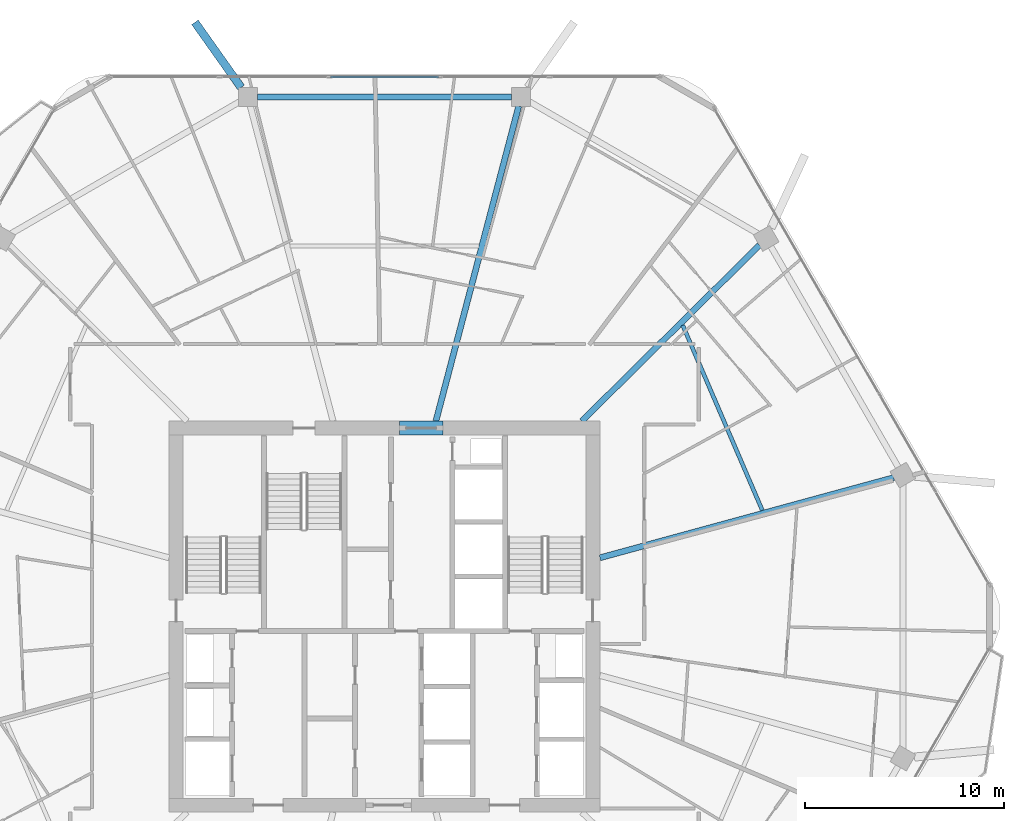
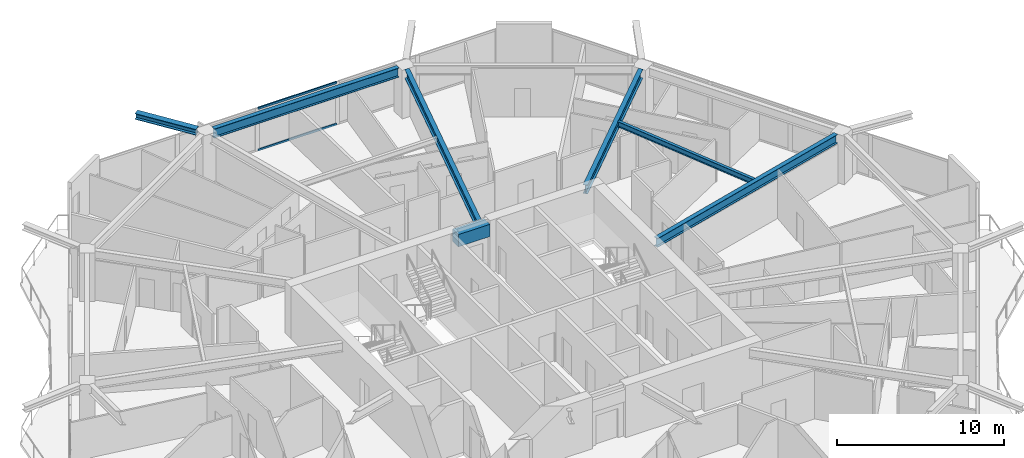
# One storey, part 14 of 27: 7 beams, 2 members, 1 element without a shape of its own.
"""IFC4 building model written with IfcOpenShell, lengths in metres."""

from ifc_helpers import new_model, si_unit, direction, frame, origin, origin_2d, place, context, subcontext, project, spatial, rectangle, hollow_rectangle, i_section, extrude, material, material_profile, profile_set, type_object, element, aggregate, save


model = new_model("IFC4")

# Units and contexts
model_context = context("Model", 3, precision=1e-05, world=origin(), true_north=direction((0.0, 1.0)))
body_context = subcontext(model_context, "Body", "Model", "MODEL_VIEW")
ifc_project = project(units=[si_unit("LENGTHUNIT", "METRE"), si_unit("AREAUNIT", "SQUARE_METRE"), si_unit("VOLUMEUNIT", "CUBIC_METRE"), si_unit("PLANEANGLEUNIT", "RADIAN"), si_unit("MASSUNIT", "GRAM", prefix="KILO")], contexts=[model_context])

# Site, building, storey
site_placement = place(None, origin())
site = spatial("IfcSite", under=ifc_project, at=site_placement, CompositionType="ELEMENT")
building_placement = place(site_placement, origin())
building = spatial("IfcBuilding", under=site, at=building_placement, Name="Zuhravey Tower", CompositionType="ELEMENT")
storey_placement = place(building_placement, frame((0.0, 0.0, 188.39990234375)))
storey = spatial("IfcBuildingStorey", under=building, at=storey_placement, Name="L47", CompositionType="ELEMENT", Elevation=188.39990234375)

# Beam
ifc_material_1 = material(Name="Concrete C60/75", Category="concrete")
ifc_material_profile_1 = material_profile(ifc_material_1, rectangle(XDim=0.699951171875, YDim=0.89990234375, at=origin_2d()), Name="RC-700x900")
ifc_profile_set_1 = profile_set([ifc_material_profile_1], Name="Concrete C60/75")
beam_type_1 = type_object("IfcBeamType", Name="Core Coupling Beam RC700x900", PredefinedType="LINTEL", material=ifc_profile_set_1)
beam_1_placement = place(storey_placement, frame((36.751953125, 41.5, 3.10009765625), z_axis=(1.0, 0.0, 0.0), x_axis=(0.0, 1.0, 0.0)))
element("IfcBeam", 1, at=beam_1_placement, inside=storey, type_object=beam_type_1, Name="L47 CB1 BM-L47-CB-N", PredefinedType="LINTEL", context=body_context, shape_type="SweptSolid", body=[
    extrude(rectangle(XDim=0.699951171875, YDim=0.89990234375, at=origin_2d()), origin(), (0.0, 0.0, 1.0), 2.196044921875),
])

# Curtain wall, members
ifc_material_2 = material(Name="Thermally broken anodised aluminium", Category="aluminium")
curtain_wall_type = type_object("IfcCurtainWallType", Name="Zone 1-2 Residential Curtain Wall CW3", PredefinedType="NOTDEFINED", material=ifc_material_2)
curtain_wall_placement = place(storey_placement, origin())
curtain_wall = element("IfcCurtainWall", 2, at=curtain_wall_placement, inside=storey, type_object=curtain_wall_type, Name="L47 CW3 CW-L47-F2-1", PredefinedType="NOTDEFINED")
ifc_material_3 = material(Name="Anodised aluminium", Category="aluminium")
ifc_material_profile_2 = material_profile(ifc_material_3, hollow_rectangle(XDim=0.090087890625, YDim=0.14990234375, WallThickness=0.0048828125, at=origin_2d()), Name="ALU-RHS-90x150x5")
ifc_profile_set_2 = profile_set([ifc_material_profile_2], Name="Anodised aluminium")
member_type = type_object("IfcMemberType", Name="Curtain-Wall Transom 90x150", PredefinedType="USERDEFINED", material=ifc_profile_set_2)
member_1_placement = place(storey_placement, frame((33.272705078125, 59.18310546875, 0.045166015625), z_axis=(1.0, 0.0, 0.0), x_axis=(0.0, 1.0, 0.0)))
member_1 = element("IfcMember", 3, at=member_1_placement, type_object=member_type, Name="CW3 transom 3.1", ObjectType="TRANSOM", PredefinedType="USERDEFINED", context=body_context, shape_type="SweptSolid", body=[
    extrude(hollow_rectangle(XDim=0.090087890625, YDim=0.14990234375, WallThickness=0.0048828125, at=origin_2d()), origin(), (0.0, 0.0, 1.0), 5.45458984375),
])
member_2_placement = place(storey_placement, frame((33.272705078125, 59.18310546875, 3.0771484375), z_axis=(1.0, 0.0, 0.0), x_axis=(0.0, 1.0, 0.0)))
member_2 = element("IfcMember", 4, at=member_2_placement, type_object=member_type, Name="CW3 transom 3.2", ObjectType="TRANSOM", PredefinedType="USERDEFINED", context=body_context, shape_type="SweptSolid", body=[
    extrude(hollow_rectangle(XDim=0.090087890625, YDim=0.14990234375, WallThickness=0.0048828125, at=origin_2d()), origin(), (0.0, 0.0, 1.0), 5.45458984375),
])
aggregate(curtain_wall, [member_1, member_2])

# Beams
ifc_material_4 = material(Name="Steel SM460", Category="steel")
ifc_material_profile_3 = material_profile(ifc_material_4, i_section(OverallWidth=0.406982421875, OverallDepth=0.427978515625, WebThickness=0.02001953125, FlangeThickness=0.034912109375, at=origin_2d()), Name="H-428x407x20x35")
ifc_profile_set_3 = profile_set([ifc_material_profile_3], Name="Steel SM460")
beam_type_2 = type_object("IfcBeamType", Name="Exoskeleton Node Tie Beam H428x407", PredefinedType="BEAM", material=ifc_profile_set_3)
beam_2_placement = place(storey_placement, frame((28.77880859375, 58.6513671875, 3.336181640625), z_axis=(-0.578379549455, 0.815767795866, 0.0), x_axis=(-0.815767795866, -0.578379549455, 0.0)))
element("IfcBeam", 5, at=beam_2_placement, inside=storey, type_object=beam_type_2, Name="L47 Exoskeleton Node Tie NT1-04", PredefinedType="BEAM", context=body_context, shape_type="SweptSolid", body=[
    extrude(i_section(OverallWidth=0.406982421875, OverallDepth=0.427978515625, WebThickness=0.02001953125, FlangeThickness=0.034912109375, at=origin_2d()), origin(), (0.0, 0.0, 1.0), 4.020263671875),
])
ifc_material_5 = material(Name="Steel SM355", Category="steel")
ifc_material_profile_4 = material_profile(ifc_material_5, i_section(OverallWidth=0.300048828125, OverallDepth=0.679931640625, WebThickness=0.012939453125, FlangeThickness=0.02197265625, at=origin_2d()), Name="H-680x300x13x22")
ifc_profile_set_4 = profile_set([ifc_material_profile_4], Name="Steel SM355")
beam_type_3 = type_object("IfcBeamType", Name="Perimeter Ring Beam H680x300", PredefinedType="BEAM", material=ifc_profile_set_4)
beam_3_placement = place(storey_placement, frame((42.404052734375, 58.173095703125, 3.210205078125), z_axis=(-1.0, 0.0, 0.0), x_axis=(0.0, -1.0, 0.0)))
element("IfcBeam", 6, at=beam_3_placement, inside=storey, type_object=beam_type_3, Name="L47 PB2 BM-L47-PB-03", PredefinedType="BEAM", context=body_context, shape_type="SweptSolid", body=[
    extrude(i_section(OverallWidth=0.300048828125, OverallDepth=0.679931640625, WebThickness=0.012939453125, FlangeThickness=0.02197265625, at=origin_2d()), origin(), (0.0, 0.0, 1.0), 12.80810546875),
])
ifc_material_profile_5 = material_profile(ifc_material_5, i_section(OverallWidth=0.300048828125, OverallDepth=0.64990234375, WebThickness=0.012939453125, FlangeThickness=0.02197265625, at=origin_2d()), Name="H-650x300x13x22")
ifc_profile_set_5 = profile_set([ifc_material_profile_5], Name="Steel SM355")
beam_type_4 = type_object("IfcBeamType", Name="Radial Primary Girder H650x300", PredefinedType="BEAM", material=ifc_profile_set_5)
beam_4_placement = place(storey_placement, frame((46.85302734375, 34.96240234375, 3.22509765625), z_axis=(0.964701703464, 0.263345065139, 0.0), x_axis=(-0.263345065139, 0.964701703464, 0.0)))
element("IfcBeam", 7, at=beam_4_placement, inside=storey, type_object=beam_type_4, Name="L47 RG2 BM-L47-RAD-01", PredefinedType="BEAM", context=body_context, shape_type="SweptSolid", body=[
    extrude(i_section(OverallWidth=0.300048828125, OverallDepth=0.64990234375, WebThickness=0.012939453125, FlangeThickness=0.02197265625, at=origin_2d()), origin(), (0.0, 0.0, 1.0), 15.334716796875),
])
beam_5_placement = place(storey_placement, frame((45.945556640625, 41.85302734375, 3.22509765625), z_axis=(0.710406645816, 0.703791444663, 0.0), x_axis=(-0.703791444663, 0.710406645816, 0.0)))
element("IfcBeam", 8, at=beam_5_placement, inside=storey, type_object=beam_type_4, Name="L47 RG2 BM-L47-RAD-02", PredefinedType="BEAM", context=body_context, shape_type="SweptSolid", body=[
    extrude(i_section(OverallWidth=0.300048828125, OverallDepth=0.64990234375, WebThickness=0.012939453125, FlangeThickness=0.02197265625, at=origin_2d()), origin(), (0.0, 0.0, 1.0), 12.5849609375),
])
beam_6_placement = place(storey_placement, frame((38.5908203125, 41.85302734375, 3.22509765625), z_axis=(0.254299806285, 0.967125435775, 0.0), x_axis=(-0.967125435775, 0.254299806285, 0.0)))
element("IfcBeam", 9, at=beam_6_placement, inside=storey, type_object=beam_type_4, Name="L47 RG2 BM-L47-RAD-03", PredefinedType="BEAM", context=body_context, shape_type="SweptSolid", body=[
    extrude(i_section(OverallWidth=0.300048828125, OverallDepth=0.64990234375, WebThickness=0.012939453125, FlangeThickness=0.02197265625, at=origin_2d()), origin(), (0.0, 0.0, 1.0), 16.396728515625),
])
ifc_material_profile_6 = material_profile(ifc_material_5, i_section(OverallWidth=0.199951171875, OverallDepth=0.39990234375, WebThickness=0.008056640625, FlangeThickness=0.012939453125, at=origin_2d()), Name="H-400x200x8x13")
ifc_profile_set_6 = profile_set([ifc_material_profile_6], Name="Steel SM355")
beam_type_5 = type_object("IfcBeamType", Name="Secondary Floor Joist H400x200", PredefinedType="JOIST", material=ifc_profile_set_6)
beam_7_placement = place(storey_placement, frame((55.029541015625, 37.3525390625, 3.35009765625), z_axis=(-0.395265853487, 0.918566766799, 0.0), x_axis=(-0.918566766799, -0.395265853487, 0.0)))
element("IfcBeam", 10, at=beam_7_placement, inside=storey, type_object=beam_type_5, Name="L47 SJ2 BM-L47-SJ-01-1", PredefinedType="JOIST", context=body_context, shape_type="SweptSolid", body=[
    extrude(i_section(OverallWidth=0.199951171875, OverallDepth=0.39990234375, WebThickness=0.008056640625, FlangeThickness=0.012939453125, at=origin_2d()), origin(), (0.0, 0.0, 1.0), 10.150146484375),
])

save(model, "model.ifc")
